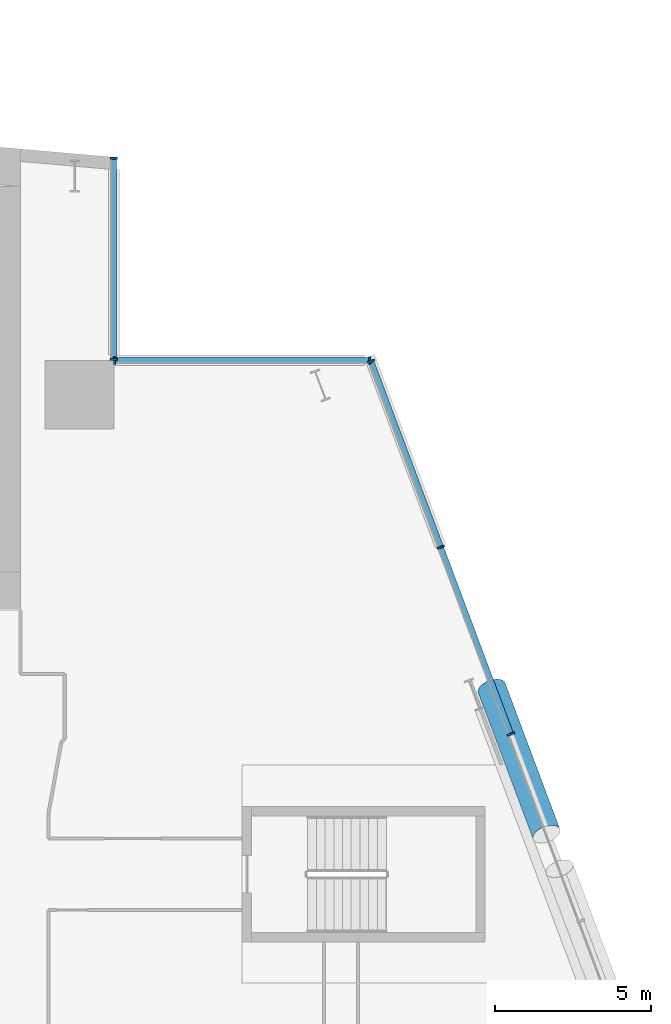
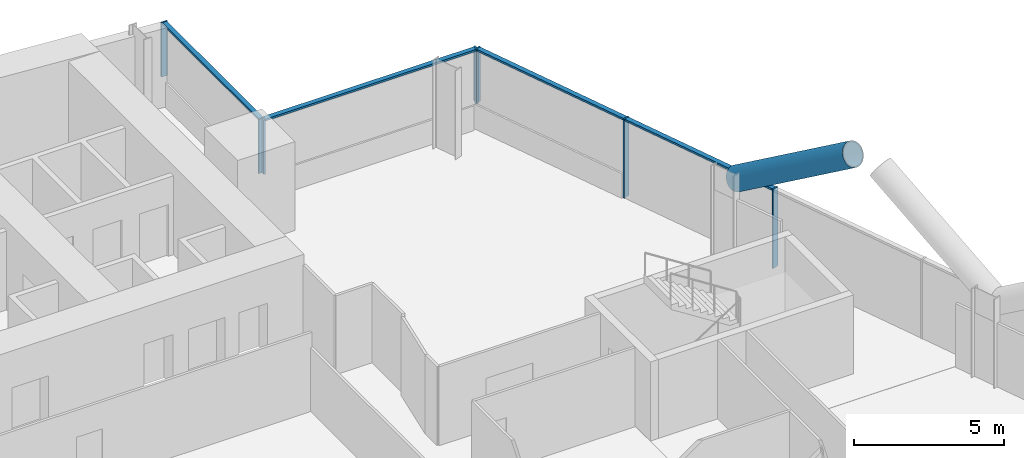
# One storey, part 10 of 24: 12 members, 3 elements without a shape of their own.
"""IFC4 building model written with IfcOpenShell, lengths in metres."""

from ifc_helpers import new_model, si_unit, direction, frame, origin, origin_2d, place, context, subcontext, project, spatial, rectangle, hollow_circle, extrude, material, material_profile, profile_set, type_object, element, aggregate, save


model = new_model("IFC4")

# Units and contexts
model_context = context("Model", 3, precision=1e-05, world=origin(), true_north=direction((0.0, 1.0)))
body_context = subcontext(model_context, "Body", "Model", "MODEL_VIEW")
ifc_project = project(units=[si_unit("LENGTHUNIT", "METRE"), si_unit("AREAUNIT", "SQUARE_METRE"), si_unit("VOLUMEUNIT", "CUBIC_METRE"), si_unit("PLANEANGLEUNIT", "RADIAN"), si_unit("MASSUNIT", "GRAM", prefix="KILO")], contexts=[model_context])

# Site, building, storey
site_placement = place(None, origin())
site = spatial("IfcSite", under=ifc_project, at=site_placement, CompositionType="ELEMENT")
building_placement = place(site_placement, origin())
building = spatial("IfcBuilding", under=site, at=building_placement, Name="Wharfspan Tower", CompositionType="ELEMENT")
storey_placement = place(building_placement, frame((0.0, 0.0, 66.699951)))
storey = spatial("IfcBuildingStorey", under=building, at=storey_placement, Name="L13", CompositionType="ELEMENT", Elevation=66.699951)

# Curtain wall, members
ifc_material_1 = material(Name="Aluminium 6063-T6", Category="aluminium")
curtain_wall_type = type_object("IfcCurtainWallType", Name="CURTAIN WALL PROW AND END", PredefinedType="NOTDEFINED", material=ifc_material_1)
curtain_wall_1_placement = place(storey_placement, origin())
curtain_wall_1 = element("IfcCurtainWall", 1, at=curtain_wall_1_placement, inside=storey, type_object=curtain_wall_type, Name="Curtain wall E", PredefinedType="NOTDEFINED")
ifc_material_profile_1 = material_profile(ifc_material_1, rectangle(XDim=0.23999, YDim=0.060059, at=origin_2d()))
ifc_profile_set_1 = profile_set([ifc_material_profile_1], Name="Aluminium 6063-T6")
member_type_1 = type_object("IfcMemberType", Name="MULLION PROW AND END 60x240", PredefinedType="MULLION", material=ifc_profile_set_1)
member_1_placement = place(storey_placement, frame((80.75, 30.0, 0.0), z_axis=(0.0, 0.0, 1.0), x_axis=(-0.936328, -0.351123, 0.0)))
member_1 = element("IfcMember", 2, at=member_1_placement, type_object=member_type_1, Name="Curtain wall E mullion 6", PredefinedType="MULLION", context=body_context, shape_type="SweptSolid", body=[
    extrude(rectangle(XDim=0.23999, YDim=0.060059, at=origin_2d()), origin(), (0.0, 0.0, 1.0), 3.199951),
])
member_2_placement = place(storey_placement, frame((78.5, 36.0, 0.0), z_axis=(0.0, 0.0, 1.0), x_axis=(-0.936328, -0.351123, 0.0)))
member_2 = element("IfcMember", 3, at=member_2_placement, type_object=member_type_1, Name="Curtain wall E mullion 7", PredefinedType="MULLION", context=body_context, shape_type="SweptSolid", body=[
    extrude(rectangle(XDim=0.23999, YDim=0.060059, at=origin_2d()), origin(), (0.0, 0.0, 1.0), 3.199951),
])
member_3_placement = place(storey_placement, frame((76.260498, 41.971924, 1.0), z_axis=(0.0, 0.0, 1.0), x_axis=(-0.936328, -0.351123, 0.0)))
member_3 = element("IfcMember", 4, at=member_3_placement, type_object=member_type_1, Name="Curtain wall E mullion 8", PredefinedType="MULLION", context=body_context, shape_type="SweptSolid", body=[
    extrude(rectangle(XDim=0.23999, YDim=0.060059, at=origin_2d()), origin(), (0.0, 0.0, 1.0), 2.199951),
])

curtain_wall_2_placement = place(storey_placement, origin())
curtain_wall_2 = element("IfcCurtainWall", 5, at=curtain_wall_2_placement, inside=storey, type_object=curtain_wall_type, Name="Curtain wall NRE-H", PredefinedType="NOTDEFINED")
member_4_placement = place(storey_placement, frame((76.219971, 42.0, 1.0), z_axis=(0.0, 0.0, 1.0), x_axis=(0.0, -1.0, 0.0)))
member_4 = element("IfcMember", 6, at=member_4_placement, type_object=member_type_1, Name="Curtain wall NRE-H mullion 1", PredefinedType="MULLION", context=body_context, shape_type="SweptSolid", body=[
    extrude(rectangle(XDim=0.23999, YDim=0.060059, at=origin_2d()), origin(), (0.0, 0.0, 1.0), 2.199951),
])
member_5_placement = place(storey_placement, frame((68.030029, 42.0, 1.0), z_axis=(0.0, 0.0, 1.0), x_axis=(0.0, -1.0, 0.0)))
member_5 = element("IfcMember", 7, at=member_5_placement, type_object=member_type_1, Name="Curtain wall NRE-H mullion 2", PredefinedType="MULLION", context=body_context, shape_type="SweptSolid", body=[
    extrude(rectangle(XDim=0.23999, YDim=0.060059, at=origin_2d()), origin(), (0.0, 0.0, 1.0), 2.199951),
])

curtain_wall_3_placement = place(storey_placement, origin())
curtain_wall_3 = element("IfcCurtainWall", 8, at=curtain_wall_3_placement, inside=storey, type_object=curtain_wall_type, Name="Curtain wall NRE-V", PredefinedType="NOTDEFINED")
member_6_placement = place(storey_placement, frame((68.0, 42.030029, 1.0), z_axis=(0.0, 0.0, 1.0), x_axis=(-1.0, 0.0, 0.0)))
member_6 = element("IfcMember", 9, at=member_6_placement, type_object=member_type_1, Name="Curtain wall NRE-V mullion 1", PredefinedType="MULLION", context=body_context, shape_type="SweptSolid", body=[
    extrude(rectangle(XDim=0.23999, YDim=0.060059, at=origin_2d()), origin(), (0.0, 0.0, 1.0), 2.199951),
])
member_7_placement = place(storey_placement, frame((68.0, 48.494873, 1.0), z_axis=(0.0, 0.0, 1.0), x_axis=(-1.0, 0.0, 0.0)))
member_7 = element("IfcMember", 10, at=member_7_placement, type_object=member_type_1, Name="Curtain wall NRE-V mullion 2", PredefinedType="MULLION", context=body_context, shape_type="SweptSolid", body=[
    extrude(rectangle(XDim=0.23999, YDim=0.060059, at=origin_2d()), origin(), (0.0, 0.0, 1.0), 2.199951),
])

# Member
ifc_material_2 = material(Name="Steel S460NH", Category="steel")
ifc_material_profile_2 = material_profile(ifc_material_2, hollow_circle(Radius=0.457031, WallThickness=0.040039, at=origin_2d()))
ifc_profile_set_2 = profile_set([ifc_material_profile_2], Name="Steel S460NH")
member_type_2 = type_object("IfcMemberType", Name="Mega brace CHS 914x40", PredefinedType="BRACE", material=ifc_profile_set_2)
member_8_placement = place(storey_placement, frame((80.135986, 31.480713, 2.900146), z_axis=(0.295466, -0.787922, 0.540259), x_axis=(0.936329, 0.351115, -4e-06)))
element("IfcMember", 11, at=member_8_placement, inside=storey, type_object=member_type_2, Name="Mega brace E6 L14 part 3", PredefinedType="BRACE", context=body_context, shape_type="SweptSolid", body=[
    extrude(hollow_circle(Radius=0.457031, WallThickness=0.040039, at=origin_2d()), origin(), (0.0, 0.0, 1.0), 5.955078),
])

ifc_material_profile_3 = material_profile(ifc_material_1, rectangle(XDim=0.179932, YDim=0.080078, at=origin_2d()))
ifc_profile_set_3 = profile_set([ifc_material_profile_3], Name="Aluminium 6063-T6")
member_type_3 = type_object("IfcMemberType", Name="TRANSOM PROW AND END 80x180", PredefinedType="USERDEFINED", material=ifc_profile_set_3)
member_9_placement = place(storey_placement, frame((80.739502, 30.028076, 3.160156), z_axis=(-0.351132, 0.936326, 0.0), x_axis=(-0.936326, -0.351132, 0.0)))
member_9 = element("IfcMember", 12, at=member_9_placement, type_object=member_type_3, Name="Curtain wall E transom 6", ObjectType="TRANSOM", PredefinedType="USERDEFINED", context=body_context, shape_type="SweptSolid", body=[
    extrude(rectangle(XDim=0.179932, YDim=0.080078, at=origin_2d()), origin(), (0.0, 0.0, 1.0), 6.348145),
])

member_10_placement = place(storey_placement, frame((78.489502, 36.028076, 3.160156), z_axis=(-0.351136, 0.936324, 0.0), x_axis=(-0.936324, -0.351136, 0.0)))
member_10 = element("IfcMember", 13, at=member_10_placement, type_object=member_type_3, Name="Curtain wall E transom 7", ObjectType="TRANSOM", PredefinedType="USERDEFINED", context=body_context, shape_type="SweptSolid", body=[
    extrude(rectangle(XDim=0.179932, YDim=0.080078, at=origin_2d()), origin(), (0.0, 0.0, 1.0), 6.318115),
])

aggregate(curtain_wall_1, [member_1, member_2, member_3, member_9, member_10])

member_11_placement = place(storey_placement, frame((76.189941, 42.0, 3.160156), z_axis=(-1.0, 0.0, 0.0), x_axis=(0.0, -1.0, 0.0)))
member_11 = element("IfcMember", 14, at=member_11_placement, type_object=member_type_3, Name="Curtain wall NRE-H transom 1", ObjectType="TRANSOM", PredefinedType="USERDEFINED", context=body_context, shape_type="SweptSolid", body=[
    extrude(rectangle(XDim=0.179932, YDim=0.080078, at=origin_2d()), origin(), (0.0, 0.0, 1.0), 8.129883),
])

aggregate(curtain_wall_2, [member_4, member_5, member_11])

member_12_placement = place(storey_placement, frame((68.0, 42.060059, 3.160156), z_axis=(0.0, 1.0, 0.0), x_axis=(-1.0, 0.0, 0.0)))
member_12 = element("IfcMember", 15, at=member_12_placement, type_object=member_type_3, Name="Curtain wall NRE-V transom 1", ObjectType="TRANSOM", PredefinedType="USERDEFINED", context=body_context, shape_type="SweptSolid", body=[
    extrude(rectangle(XDim=0.179932, YDim=0.080078, at=origin_2d()), origin(), (0.0, 0.0, 1.0), 6.404785),
])

aggregate(curtain_wall_3, [member_6, member_7, member_12])

save(model, "model.ifc")
